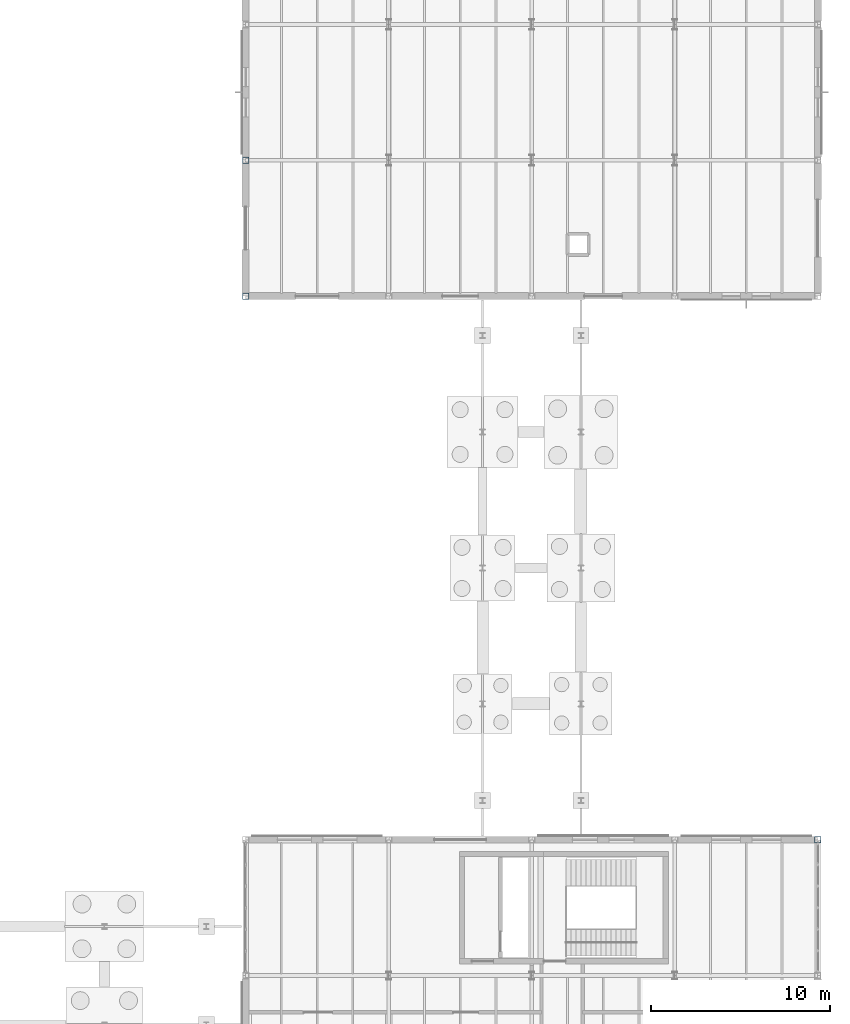
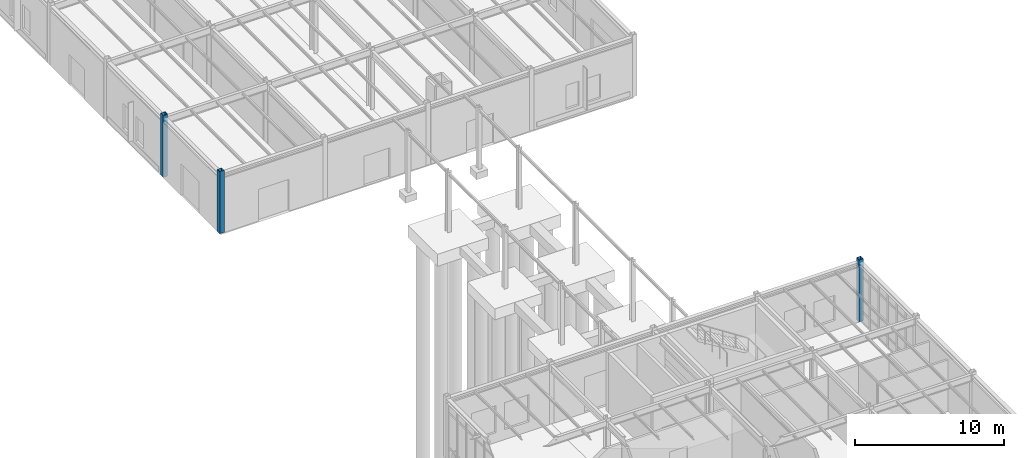
# One storey, part 23 of 109: 3 columns.
"""IFC4 building model written with IfcOpenShell, lengths in metres."""

from ifc_helpers import new_model, si_unit, direction, frame, origin, origin_2d, place, context, subcontext, project, spatial, hollow_rectangle, extrude, material, material_profile, profile_set, type_object, element, save


model = new_model("IFC4")

# Units and contexts
model_context = context("Model", 3, precision=1e-05, world=origin(), true_north=direction((0.0, 1.0)))
body_context = subcontext(model_context, "Body", "Model", "MODEL_VIEW")
ifc_project = project(units=[si_unit("LENGTHUNIT", "METRE"), si_unit("AREAUNIT", "SQUARE_METRE"), si_unit("VOLUMEUNIT", "CUBIC_METRE"), si_unit("PLANEANGLEUNIT", "RADIAN"), si_unit("MASSUNIT", "GRAM", prefix="KILO")], contexts=[model_context])

# Site, building, storey
site_placement = place(None, origin())
site = spatial("IfcSite", under=ifc_project, at=site_placement, CompositionType="ELEMENT")
building_placement = place(site_placement, origin())
building = spatial("IfcBuilding", under=site, at=building_placement, Name="Montecoro Central Library", CompositionType="ELEMENT")
storey_placement = place(building_placement, origin())
storey = spatial("IfcBuildingStorey", under=building, at=storey_placement, Name="L00", CompositionType="ELEMENT", Elevation=0.0)

# Columns
ifc_material = material(Name="Steel S355J2", Category="steel")
ifc_material_profile = material_profile(ifc_material, hollow_rectangle(XDim=0.35009765625, YDim=0.35009765625, WallThickness=0.01416015625, at=origin_2d()), Name="SHS 350x350x14.2")
ifc_profile_set = profile_set([ifc_material_profile], Name="Steel S355J2")
column_type = type_object("IfcColumnType", Name="COL-SHS350", PredefinedType="COLUMN", material=ifc_profile_set)
for number, where, z_axis, x_axis, name in (
    (1, (141.0, 73.39990234375, 0.0), (0.0, 0.0, 1.0), (1.0, 0.0, 0.0), "V5-L00-COL-18-K"),
    (2, (141.0, 81.0, 0.0), (0.0, 0.0, 1.0), (1.0, 0.0, 0.0), "V5-L00-COL-18-L"),
    (3, (173.0, 43.0, 0.0), (0.0, 0.0, 1.0), (1.0, 0.0, 0.0), "V6-L00-COL-22-F"),
):
    element("IfcColumn", number, at=place(storey_placement, frame(where, z_axis=z_axis, x_axis=x_axis)), inside=storey, type_object=column_type, Name=name, PredefinedType="COLUMN", context=body_context, shape_type="SweptSolid", body=[
        extrude(hollow_rectangle(XDim=0.35009765625, YDim=0.35009765625, WallThickness=0.01416015625, at=origin_2d()), origin(), (0.0, 0.0, 1.0), 5.074951171875),
    ])

save(model, "model.ifc")
